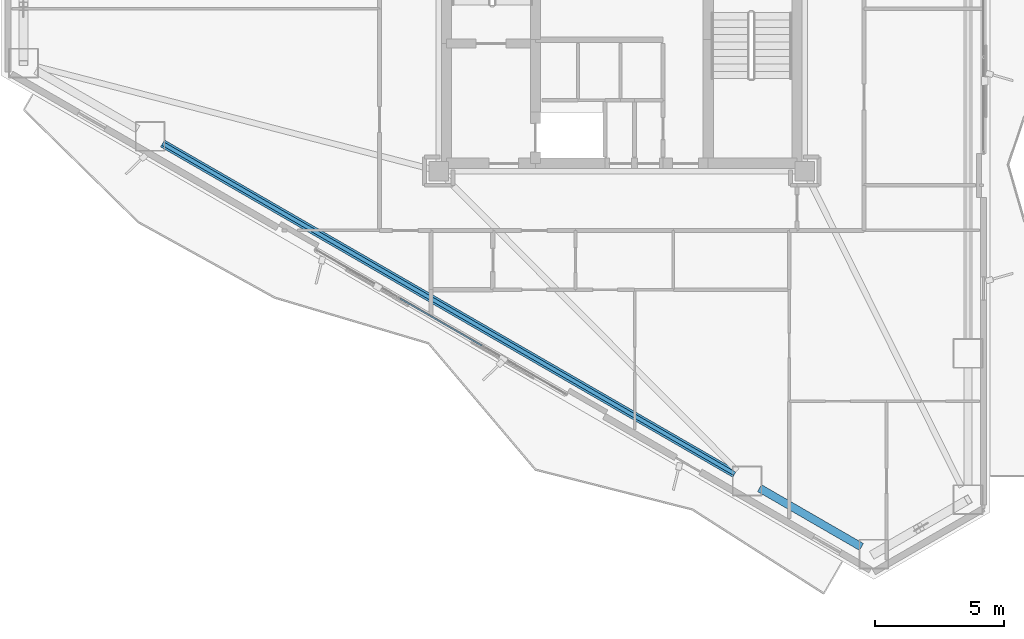
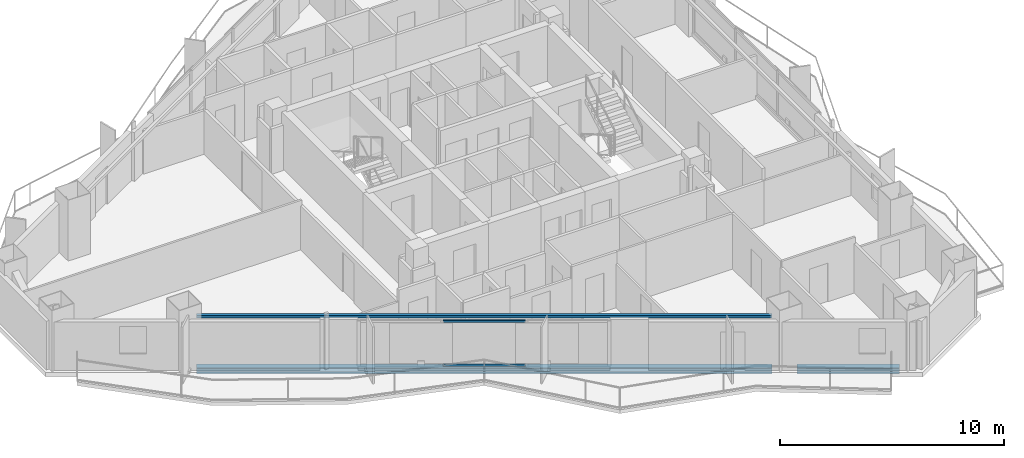
# One storey, part 3 of 22: 3 beams, 2 members, 1 element without a shape of its own.
"""IFC4 building model written with IfcOpenShell, lengths in metres."""

from ifc_helpers import new_model, si_unit, direction, frame, origin, origin_2d, place, context, subcontext, project, spatial, hollow_rectangle, i_section, extrude, material, layer, layer_set, material_profile, profile_set, type_object, element, aggregate, save


model = new_model("IFC4")

# Units and contexts
model_context = context("Model", 3, precision=1e-05, world=origin(), true_north=direction((0.0, 1.0)))
body_context = subcontext(model_context, "Body", "Model", "MODEL_VIEW")
ifc_project = project(units=[si_unit("LENGTHUNIT", "METRE"), si_unit("AREAUNIT", "SQUARE_METRE"), si_unit("VOLUMEUNIT", "CUBIC_METRE"), si_unit("PLANEANGLEUNIT", "RADIAN"), si_unit("MASSUNIT", "GRAM", prefix="KILO")], contexts=[model_context])

# Site, building, storey
site_placement = place(None, origin())
site = spatial("IfcSite", under=ifc_project, at=site_placement, CompositionType="ELEMENT")
building_placement = place(site_placement, origin())
building = spatial("IfcBuilding", under=site, at=building_placement, Name="Mersakhor Tower and Convention Hall", CompositionType="ELEMENT")
storey_placement = place(building_placement, frame((0.0, 0.0, 113.10009765625)))
storey = spatial("IfcBuildingStorey", under=building, at=storey_placement, Name="L31", CompositionType="ELEMENT", Elevation=113.10009765625)

# Beams
ifc_material_1 = material(Name="Steel S355", Category="steel")
ifc_material_profile_1 = material_profile(ifc_material_1, hollow_rectangle(XDim=0.14990234375, YDim=0.14990234375, WallThickness=0.010009765625, at=origin_2d()), Name="SHS 150x150x10")
ifc_profile_set_1 = profile_set([ifc_material_profile_1], Name="Steel S355")
beam_type_1 = type_object("IfcBeamType", Name="BM-GRT-SHS150", PredefinedType="USERDEFINED", material=ifc_profile_set_1)
beam_1_placement = place(storey_placement, frame((33.38232421875, 8.706787109375, 2.47998046875), z_axis=(-0.866022538643, 0.500004962538, 0.0), x_axis=(-0.500004962538, -0.866022538643, 0.0)))
element("IfcBeam", 1, at=beam_1_placement, inside=storey, type_object=beam_type_1, Name="L31 Facade Support Girt GRT-F3", ObjectType="GIRT", PredefinedType="USERDEFINED", context=body_context, shape_type="SweptSolid", body=[
    extrude(hollow_rectangle(XDim=0.14990234375, YDim=0.14990234375, WallThickness=0.010009765625, at=origin_2d()), origin(), (0.0, 0.0, 1.0), 25.633544921875),
])
ifc_material_2 = material(Name="Steel S355", Category="steel")
ifc_material_profile_2 = material_profile(ifc_material_2, i_section(OverallWidth=0.30908203125, OverallDepth=0.320556640625, WebThickness=0.013916015625, FlangeThickness=0.021728515625, at=origin_2d()), Name="UC 305x305x137")
ifc_profile_set_2 = profile_set([ifc_material_profile_2], Name="Steel S355")
beam_type_2 = type_object("IfcBeamType", Name="BM-SPD-UC305", PredefinedType="SPANDREL", material=ifc_profile_set_2)
beam_2_placement = place(storey_placement, frame((38.298095703125, 5.868896484375, -0.410400390625), z_axis=(-0.866046694585, 0.499963121439, 0.0), x_axis=(-0.499963121439, -0.866046694585, 0.0)))
element("IfcBeam", 2, at=beam_2_placement, inside=storey, type_object=beam_type_2, Name="L31 Perimeter Spandrel Beam SPB-09", PredefinedType="SPANDREL", context=body_context, shape_type="SweptSolid", body=[
    extrude(i_section(OverallWidth=0.30908203125, OverallDepth=0.320556640625, WebThickness=0.013916015625, FlangeThickness=0.021728515625, at=origin_2d()), origin(), (0.0, 0.0, 1.0), 4.566162109375),
])
beam_3_placement = place(storey_placement, frame((33.38232421875, 8.706787109375, -0.410400390625), z_axis=(-0.866022538643, 0.500004962538, 0.0), x_axis=(-0.500004962538, -0.866022538643, 0.0)))
element("IfcBeam", 3, at=beam_3_placement, inside=storey, type_object=beam_type_2, Name="L31 Perimeter Spandrel Beam SPB-10", PredefinedType="SPANDREL", context=body_context, shape_type="SweptSolid", body=[
    extrude(i_section(OverallWidth=0.30908203125, OverallDepth=0.320556640625, WebThickness=0.013916015625, FlangeThickness=0.021728515625, at=origin_2d()), origin(), (0.0, 0.0, 1.0), 25.633544921875),
])

# Curtain wall, members
ifc_material_3 = material(Name="Dark solar low-E aluminium curtain wall", Category="aluminium")
ifc_layer = layer(ifc_material_3, 0.159912109375)
ifc_layer_set = layer_set([ifc_layer], Name="Dark solar low-E aluminium curtain wall")
curtain_wall_type = type_object("IfcCurtainWallType", Name="CW-SYS-01", PredefinedType="USERDEFINED", material=ifc_layer_set)
curtain_wall_placement = place(storey_placement, origin())
curtain_wall = element("IfcCurtainWall", 4, at=curtain_wall_placement, inside=storey, type_object=curtain_wall_type, Name="L31 Dark-Glass Curtain Wall F3-B2", ObjectType="CURTAIN WALL", PredefinedType="USERDEFINED")
ifc_material_4 = material(Name="Anodised aluminium EN AW-6063 T6", Category="aluminium")
ifc_material_profile_3 = material_profile(ifc_material_4, hollow_rectangle(XDim=0.06005859375, YDim=0.1201171875, WallThickness=0.0048828125, at=origin_2d()), Name="RHS 120x60x5")
ifc_profile_set_3 = profile_set([ifc_material_profile_3], Name="Anodised aluminium EN AW-6063 T6")
member_type = type_object("IfcMemberType", Name="CWT-120x60", PredefinedType="USERDEFINED", material=ifc_profile_set_3)
member_1_placement = place(storey_placement, frame((23.571044921875, 13.6787109375, 0.22998046875), z_axis=(-0.866039286129, 0.499975954304, 0.0), x_axis=(-0.499975954304, -0.866039286129, 0.0)))
member_1 = element("IfcMember", 5, at=member_1_placement, type_object=member_type, Name="CW-01 transom 2.1", ObjectType="TRANSOM", PredefinedType="USERDEFINED", context=body_context, shape_type="SweptSolid", body=[
    extrude(hollow_rectangle(XDim=0.06005859375, YDim=0.1201171875, WallThickness=0.0048828125, at=origin_2d()), origin(), (0.0, 0.0, 1.0), 3.668212890625),
])
member_2_placement = place(storey_placement, frame((23.571044921875, 13.6787109375, 2.60986328125), z_axis=(-0.866039286129, 0.499975954304, 0.0), x_axis=(-0.499975954304, -0.866039286129, 0.0)))
member_2 = element("IfcMember", 6, at=member_2_placement, type_object=member_type, Name="CW-01 transom 2.2", ObjectType="TRANSOM", PredefinedType="USERDEFINED", context=body_context, shape_type="SweptSolid", body=[
    extrude(hollow_rectangle(XDim=0.06005859375, YDim=0.1201171875, WallThickness=0.0048828125, at=origin_2d()), origin(), (0.0, 0.0, 1.0), 3.668212890625),
])
aggregate(curtain_wall, [member_1, member_2])

save(model, "model.ifc")
